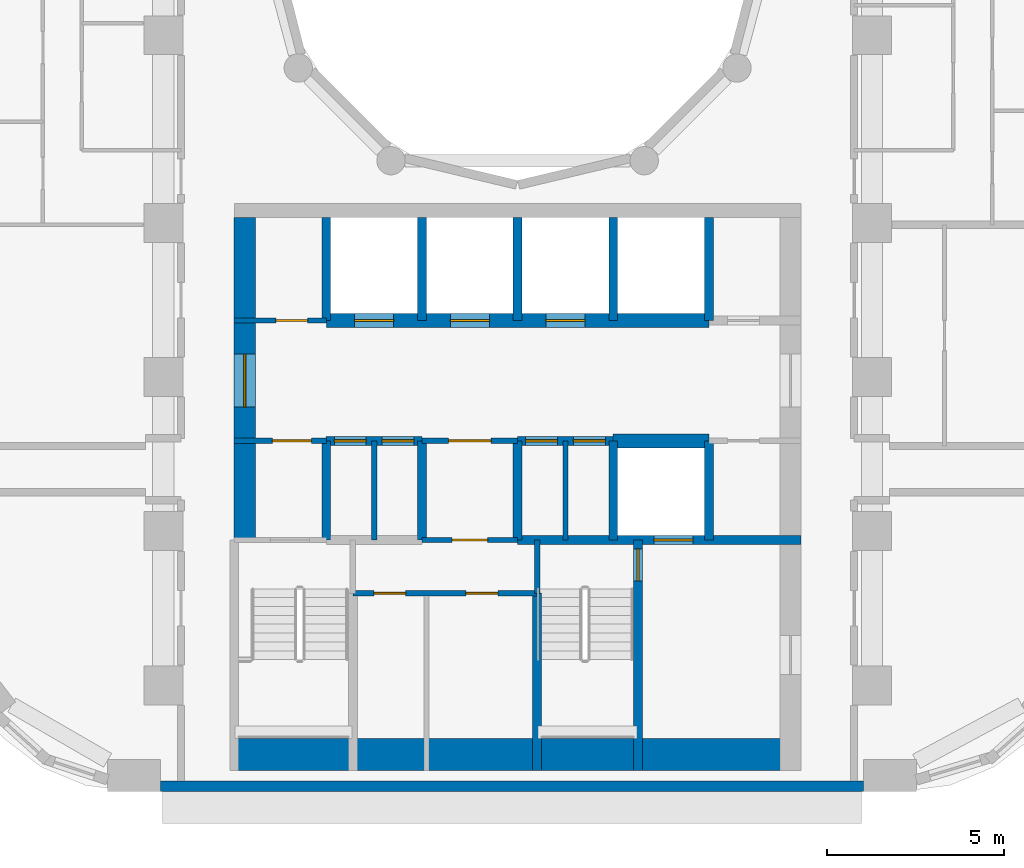
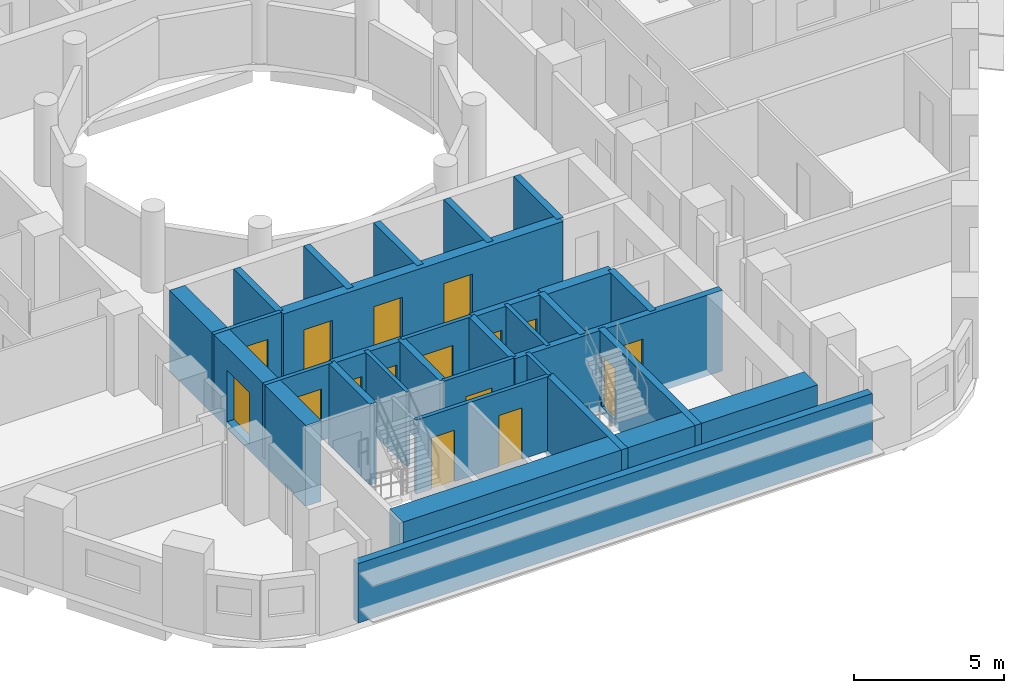
# One storey, part 3 of 12: 28 walls, 16 doors, 16 openings.
"""IFC4 building model written with IfcOpenShell, lengths in metres."""

from ifc_helpers import new_model, si_unit, direction, frame, frame_2d, origin, place, context, subcontext, project, spatial, rectangle, extrude, material, layer, layer_set, type_object, element, fill, save


model = new_model("IFC4")

# Units and contexts
model_context = context("Model", 3, precision=1e-05, world=origin(), true_north=direction((0.0, 1.0)))
body_context = subcontext(model_context, "Body", "Model", "MODEL_VIEW")
ifc_project = project(units=[si_unit("LENGTHUNIT", "METRE"), si_unit("AREAUNIT", "SQUARE_METRE"), si_unit("VOLUMEUNIT", "CUBIC_METRE"), si_unit("PLANEANGLEUNIT", "RADIAN"), si_unit("MASSUNIT", "GRAM", prefix="KILO")], contexts=[model_context])

# Site, building, storey
site_placement = place(None, origin())
site = spatial("IfcSite", under=ifc_project, at=site_placement, CompositionType="ELEMENT")
building_placement = place(site_placement, origin())
building = spatial("IfcBuilding", under=site, at=building_placement, Name="Nakaniwa Court", CompositionType="ELEMENT")
storey_placement = place(building_placement, frame((0.0, 0.0, 51.300048828125)))
storey = spatial("IfcBuildingStorey", under=building, at=storey_placement, Name="L13", CompositionType="ELEMENT", Elevation=51.300048828125)

# Wall
ifc_material_1 = material(Name="Charcoal ceramic cladding")
ifc_layer_1 = layer(ifc_material_1, 0.02, Name="Ceramic cladding")
ifc_material_2 = material(Name="Ventilated air cavity")
ifc_layer_2 = layer(ifc_material_2, 0.04, ventilated=True, Name="Ventilated cavity")
ifc_material_3 = material(Name="Mineral wool insulation")
ifc_layer_3 = layer(ifc_material_3, 0.1, Name="Insulation")
ifc_material_4 = material(Name="Cement bonded sheathing board")
ifc_layer_4 = layer(ifc_material_4, 0.012, Name="Sheathing")
ifc_material_5 = material(Name="Cold-formed galvanised stud frame with mineral wool infill")
ifc_layer_5 = layer(ifc_material_5, 0.1, Name="Stud frame")
ifc_material_6 = material(Name="Fire-rated gypsum plasterboard lining")
ifc_layer_6 = layer(ifc_material_6, 0.028, Name="Lining")
ifc_layer_set_1 = layer_set([ifc_layer_1, ifc_layer_2, ifc_layer_3, ifc_layer_4, ifc_layer_5, ifc_layer_6], Name="Charcoal ceramic faced external wall system")
wall_type_1 = type_object("IfcWallType", Name="Black ceramic faced external wall 300", PredefinedType="SOLIDWALL", material=ifc_layer_set_1)
wall_1_placement = place(storey_placement, frame((69.92138671875, 56.14990234375, 0.0), z_axis=(0.0, 0.0, 1.0), x_axis=(1.0, 0.0, 0.0)))
element("IfcWall", 1, at=wall_1_placement, inside=storey, type_object=wall_type_1, Name="L13 external wall 26", PredefinedType="SOLIDWALL", context=body_context, shape_type="SweptSolid", body=[
    extrude(rectangle(XDim=19.839599609375, YDim=0.300048828125, at=frame_2d((9.919921875, 0.0))), origin(), (0.0, 0.0, 1.0), 2.425048828125),
])

# Wall, opening, door
ifc_material_7 = material(Name="Blockwork partition", Category="masonry")
ifc_layer_7 = layer(ifc_material_7, 0.14990234375)
ifc_layer_set_2 = layer_set([ifc_layer_7], Name="Blockwork partition")
wall_type_2 = type_object("IfcWallType", Name="Blockwork partition 150", PredefinedType="PARTITIONING", material=ifc_layer_set_2)
wall_2_placement = place(storey_placement, frame((72.0, 69.300048828125, 0.0), z_axis=(0.0, 0.0, 1.0), x_axis=(1.0, 0.0, 0.0)))
wall_2 = element("IfcWall", 2, at=wall_2_placement, inside=storey, type_object=wall_type_2, Name="Partition PW-038", PredefinedType="PARTITIONING", context=body_context, shape_type="SweptSolid", body=[
    extrude(rectangle(XDim=2.60009765625, YDim=0.14990234375, at=frame_2d((1.300048828125, 0.0))), origin(), (0.0, 0.0, 1.0), 3.02490234375),
])
opening_1_placement = place(wall_2_placement, frame((1.175048828125, 0.0, 0.0)))
opening_1 = element("IfcOpeningElement", 3, at=opening_1_placement, cuts=wall_2, Name="Opening D-05-10", PredefinedType="OPENING", context=body_context, shape_type="SweptSolid", body=[
    extrude(rectangle(XDim=0.89990234375, YDim=2.10009765625, at=frame_2d((0.449951171875, 1.050048828125))), frame((0.0, 0.0849609375, 0.0), z_axis=(0.0, -1.0, 0.0), x_axis=(1.0, 0.0, 0.0)), (0.0, 0.0, 1.0), 0.169921875),
])
ifc_material_8 = material(Name="Fire rated steel door set", Category="steel")
door_type_1 = type_object("IfcDoorType", Name="Service room door 900", OperationType="NOTDEFINED", PredefinedType="DOOR", material=ifc_material_8)
door_1_placement = place(opening_1_placement, origin())
door_1 = element("IfcDoor", 4, at=door_1_placement, inside=storey, type_object=door_type_1, Name="Door D-05-10 L13-015", OperationType="SINGLE_SWING_RIGHT", OverallHeight=2.10009765625, OverallWidth=0.89990234375, PredefinedType="DOOR", context=body_context, shape_type="SweptSolid", body=[
    extrude(rectangle(XDim=0.89990234375, YDim=2.10009765625, at=frame_2d((0.449951171875, 1.050048828125))), frame((0.0, 0.02490234375, 0.0), z_axis=(0.0, -1.0, 0.0), x_axis=(1.0, 0.0, 0.0)), (0.0, 0.0, 1.0), 0.050048828125),
])
fill(opening_1, door_1)

wall_3_placement = place(storey_placement, frame((74.60302734375, 65.89990234375, 0.0), z_axis=(0.0, 0.0, 1.0), x_axis=(-1.0, 0.0, 0.0)))
wall_3 = element("IfcWall", 5, at=wall_3_placement, inside=storey, type_object=wall_type_2, Name="Partition PW-051", PredefinedType="PARTITIONING", context=body_context, shape_type="SweptSolid", body=[
    extrude(rectangle(XDim=2.60302734375, YDim=0.14990234375, at=frame_2d((1.301513671875, 0.0))), origin(), (0.0, 0.0, 1.0), 3.02490234375),
])
opening_2_placement = place(wall_3_placement, frame((0.427978515625, 0.0, 0.0)))
opening_2 = element("IfcOpeningElement", 6, at=opening_2_placement, cuts=wall_3, Name="Opening D-08-02", PredefinedType="OPENING", context=body_context, shape_type="SweptSolid", body=[
    extrude(rectangle(XDim=1.10009765625, YDim=2.10009765625, at=frame_2d((0.550048828125, 1.050048828125))), frame((0.0, 0.0849609375, 0.0), z_axis=(0.0, -1.0, 0.0), x_axis=(1.0, 0.0, 0.0)), (0.0, 0.0, 1.0), 0.169921875),
])
door_type_2 = type_object("IfcDoorType", Name="Stair lobby door 1100", OperationType="NOTDEFINED", PredefinedType="DOOR", material=ifc_material_8)
door_2_placement = place(opening_2_placement, origin())
door_2 = element("IfcDoor", 7, at=door_2_placement, inside=storey, type_object=door_type_2, Name="Door D-08-02 L13-017", OperationType="SINGLE_SWING_RIGHT", OverallHeight=2.10009765625, OverallWidth=1.10009765625, PredefinedType="DOOR", context=body_context, shape_type="SweptSolid", body=[
    extrude(rectangle(XDim=1.10009765625, YDim=2.10009765625, at=frame_2d((0.550048828125, 1.050048828125))), frame((0.0, 0.02490234375, 0.0), z_axis=(0.0, -1.0, 0.0), x_axis=(1.0, 0.0, 0.0)), (0.0, 0.0, 1.0), 0.050048828125),
])
fill(opening_2, door_2)

wall_4_placement = place(storey_placement, frame((80.0029296875, 65.89990234375, 0.0), z_axis=(0.0, 0.0, 1.0), x_axis=(-1.0, 0.0, 0.0)))
wall_4 = element("IfcWall", 8, at=wall_4_placement, inside=storey, type_object=wall_type_2, Name="Partition PW-052", PredefinedType="PARTITIONING", context=body_context, shape_type="SweptSolid", body=[
    extrude(rectangle(XDim=2.705810546875, YDim=0.14990234375, at=frame_2d((1.35302734375, 0.0))), origin(), (0.0, 0.0, 1.0), 3.02490234375),
])
opening_3_placement = place(wall_4_placement, frame((0.7529296875, 0.0, 0.0)))
opening_3 = element("IfcOpeningElement", 9, at=opening_3_placement, cuts=wall_4, Name="Opening D-06-02", PredefinedType="OPENING", context=body_context, shape_type="SweptSolid", body=[
    extrude(rectangle(XDim=1.199951171875, YDim=2.10009765625, at=frame_2d((0.60009765625, 1.050048828125))), frame((0.0, 0.0849609375, 0.0), z_axis=(0.0, -1.0, 0.0), x_axis=(1.0, 0.0, 0.0)), (0.0, 0.0, 1.0), 0.169921875),
])
ifc_material_9 = material(Name="Fire rated steel double door set", Category="steel")
door_type_3 = type_object("IfcDoorType", Name="Service passage double door 1200", OperationType="NOTDEFINED", PredefinedType="DOOR", material=ifc_material_9)
door_3_placement = place(opening_3_placement, origin())
door_3 = element("IfcDoor", 10, at=door_3_placement, inside=storey, type_object=door_type_3, Name="Door D-06-02 L13-020", OperationType="DOUBLE_DOOR_SINGLE_SWING", OverallHeight=2.10009765625, OverallWidth=1.199951171875, PredefinedType="DOOR", context=body_context, shape_type="SweptSolid", body=[
    extrude(rectangle(XDim=1.199951171875, YDim=2.10009765625, at=frame_2d((0.60009765625, 1.050048828125))), frame((0.0, 0.02490234375, 0.0), z_axis=(0.0, -1.0, 0.0), x_axis=(1.0, 0.0, 0.0)), (0.0, 0.0, 1.0), 0.050048828125),
])
fill(opening_3, door_3)

# Wall
wall_5_placement = place(storey_placement, frame((75.949951171875, 63.10009765625, 0.0), z_axis=(0.0, 0.0, 1.0), x_axis=(0.0, 1.0, 0.0)))
element("IfcWall", 11, at=wall_5_placement, inside=storey, type_object=wall_type_2, Name="Partition PW-058", PredefinedType="PARTITIONING", context=body_context, shape_type="SweptSolid", body=[
    extrude(rectangle(XDim=2.7998046875, YDim=0.14990234375, at=frame_2d((1.39990234375, 0.0))), origin(), (0.0, 0.0, 1.0), 3.02490234375),
])

# Wall, opening, door
wall_6_placement = place(storey_placement, frame((80.0, 63.10009765625, 0.0), z_axis=(0.0, 0.0, 1.0), x_axis=(-1.0, 0.0, 0.0)))
wall_6 = element("IfcWall", 12, at=wall_6_placement, inside=storey, type_object=wall_type_2, Name="Partition PW-061", PredefinedType="PARTITIONING", context=body_context, shape_type="SweptSolid", body=[
    extrude(rectangle(XDim=2.699951171875, YDim=0.14990234375, at=frame_2d((1.35009765625, 0.0))), origin(), (0.0, 0.0, 1.0), 3.02490234375),
])
opening_4_placement = place(wall_6_placement, frame((0.85009765625, 0.0, 0.0)))
opening_4 = element("IfcOpeningElement", 13, at=opening_4_placement, cuts=wall_6, Name="Opening D-23-02", PredefinedType="OPENING", context=body_context, shape_type="SweptSolid", body=[
    extrude(rectangle(XDim=1.0, YDim=2.10009765625, at=frame_2d((0.5, 1.050048828125))), frame((0.0, 0.0849609375, 0.0), z_axis=(0.0, -1.0, 0.0), x_axis=(1.0, 0.0, 0.0)), (0.0, 0.0, 1.0), 0.169921875),
])
door_type_4 = type_object("IfcDoorType", Name="Service room door 1000", OperationType="NOTDEFINED", PredefinedType="DOOR", material=ifc_material_8)
door_4_placement = place(opening_4_placement, origin())
door_4 = element("IfcDoor", 14, at=door_4_placement, inside=storey, type_object=door_type_4, Name="Door D-23-02 L13-024", OperationType="SINGLE_SWING_LEFT", OverallHeight=2.10009765625, OverallWidth=1.0, PredefinedType="DOOR", context=body_context, shape_type="SweptSolid", body=[
    extrude(rectangle(XDim=1.0, YDim=2.10009765625, at=frame_2d((0.5, 1.050048828125))), frame((0.0, 0.02490234375, 0.0), z_axis=(0.0, -1.0, 0.0), x_axis=(1.0, 0.0, 0.0)), (0.0, 0.0, 1.0), 0.050048828125),
])
fill(opening_4, door_4)

# Wall
wall_7_placement = place(storey_placement, frame((81.35009765625, 63.10009765625, 0.0), z_axis=(0.0, 0.0, 1.0), x_axis=(0.0, 1.0, 0.0)))
element("IfcWall", 15, at=wall_7_placement, inside=storey, type_object=wall_type_2, Name="Partition PW-062", PredefinedType="PARTITIONING", context=body_context, shape_type="SweptSolid", body=[
    extrude(rectangle(XDim=2.7998046875, YDim=0.14990234375, at=frame_2d((1.39990234375, 0.0))), origin(), (0.0, 0.0, 1.0), 3.02490234375),
])

# Wall, openings, doors
wall_8_placement = place(storey_placement, frame((80.550048828125, 61.60009765625, 0.0), z_axis=(0.0, 0.0, 1.0), x_axis=(-1.0, 0.0, 0.0)))
wall_8 = element("IfcWall", 16, at=wall_8_placement, inside=storey, type_object=wall_type_2, Name="Partition PW-069", PredefinedType="PARTITIONING", context=body_context, shape_type="SweptSolid", body=[
    extrude(rectangle(XDim=5.199951171875, YDim=0.14990234375, at=frame_2d((2.60009765625, 0.0))), origin(), (0.0, 0.0, 1.0), 3.02490234375),
])
opening_5_placement = place(wall_8_placement, frame((3.7099609375, 0.0, 0.0)))
opening_5 = element("IfcOpeningElement", 17, at=opening_5_placement, cuts=wall_8, Name="Opening D-05-17", PredefinedType="OPENING", context=body_context, shape_type="SweptSolid", body=[
    extrude(rectangle(XDim=0.89990234375, YDim=2.10009765625, at=frame_2d((0.449951171875, 1.050048828125))), frame((0.0, 0.0849609375, 0.0), z_axis=(0.0, -1.0, 0.0), x_axis=(1.0, 0.0, 0.0)), (0.0, 0.0, 1.0), 0.169921875),
])
opening_6_placement = place(wall_8_placement, frame((1.110107421875, 0.0, 0.0)))
opening_6 = element("IfcOpeningElement", 18, at=opening_6_placement, cuts=wall_8, Name="Opening D-05-18", PredefinedType="OPENING", context=body_context, shape_type="SweptSolid", body=[
    extrude(rectangle(XDim=0.89990234375, YDim=2.10009765625, at=frame_2d((0.449951171875, 1.050048828125))), frame((0.0, 0.0849609375, 0.0), z_axis=(0.0, -1.0, 0.0), x_axis=(1.0, 0.0, 0.0)), (0.0, 0.0, 1.0), 0.169921875),
])
door_5_placement = place(opening_5_placement, origin())
door_5 = element("IfcDoor", 19, at=door_5_placement, inside=storey, type_object=door_type_1, Name="Door D-05-17 L13-025", OperationType="SINGLE_SWING_RIGHT", OverallHeight=2.10009765625, OverallWidth=0.89990234375, PredefinedType="DOOR", context=body_context, shape_type="SweptSolid", body=[
    extrude(rectangle(XDim=0.89990234375, YDim=2.10009765625, at=frame_2d((0.449951171875, 1.050048828125))), frame((0.0, 0.02490234375, 0.0), z_axis=(0.0, -1.0, 0.0), x_axis=(1.0, 0.0, 0.0)), (0.0, 0.0, 1.0), 0.050048828125),
])
fill(opening_5, door_5)
door_6_placement = place(opening_6_placement, origin())
door_6 = element("IfcDoor", 20, at=door_6_placement, inside=storey, type_object=door_type_1, Name="Door D-05-18 L13-026", OperationType="SINGLE_SWING_LEFT", OverallHeight=2.10009765625, OverallWidth=0.89990234375, PredefinedType="DOOR", context=body_context, shape_type="SweptSolid", body=[
    extrude(rectangle(XDim=0.89990234375, YDim=2.10009765625, at=frame_2d((0.449951171875, 1.050048828125))), frame((0.0, 0.02490234375, 0.0), z_axis=(0.0, -1.0, 0.0), x_axis=(1.0, 0.0, 0.0)), (0.0, 0.0, 1.0), 0.050048828125),
])
fill(opening_6, door_6)

# Wall, opening, door
ifc_material_10 = material(Name="Concrete C100/115", Category="concrete")
ifc_layer_8 = layer(ifc_material_10, 0.60009765625)
ifc_layer_set_3 = layer_set([ifc_layer_8], Name="Concrete C100/115")
wall_type_3 = type_object("IfcWallType", Name="Concrete core side wall 600 C100", PredefinedType="SHEAR", material=ifc_layer_set_3)
wall_9_placement = place(storey_placement, frame((72.300048828125, 63.10009765625, -0.275146484375), z_axis=(0.0, 0.0, 1.0), x_axis=(0.0, 1.0, 0.0)))
wall_9 = element("IfcWall", 21, at=wall_9_placement, inside=storey, type_object=wall_type_3, Name="Core wall SW-39", PredefinedType="SHEAR", context=body_context, shape_type="SweptSolid", body=[
    extrude(rectangle(XDim=9.099853515625, YDim=0.60009765625, at=frame_2d((4.5498046875, 0.0))), origin(), (0.0, 0.0, 1.0), 3.300048828125),
])
opening_7_placement = place(wall_9_placement, frame((3.75, 0.0, 0.27490234375)))
opening_7 = element("IfcOpeningElement", 22, at=opening_7_placement, cuts=wall_9, Name="Opening D-07-04", PredefinedType="OPENING", context=body_context, shape_type="SweptSolid", body=[
    extrude(rectangle(XDim=1.5, YDim=2.10009765625, at=frame_2d((0.75, 1.050048828125))), frame((0.0, 0.31005859375, 0.0), z_axis=(0.0, -1.0, 0.0), x_axis=(1.0, 0.0, 0.0)), (0.0, 0.0, 1.0), 0.6201171875),
])
ifc_material_11 = material(Name="Glazed fire rated steel double door set", Category="steel")
door_type_5 = type_object("IfcDoorType", Name="Lobby double door 1500", OperationType="NOTDEFINED", PredefinedType="DOOR", material=ifc_material_11)
door_7_placement = place(opening_7_placement, origin())
door_7 = element("IfcDoor", 23, at=door_7_placement, inside=storey, type_object=door_type_5, Name="Door D-07-04 L13-060", OperationType="DOUBLE_DOOR_SINGLE_SWING", OverallHeight=2.10009765625, OverallWidth=1.5, PredefinedType="DOOR", context=body_context, shape_type="SweptSolid", body=[
    extrude(rectangle(XDim=1.5, YDim=2.10009765625, at=frame_2d((0.75, 1.050048828125))), frame((0.0, 0.02490234375, 0.0), z_axis=(0.0, -1.0, 0.0), x_axis=(1.0, 0.0, 0.0)), (0.0, 0.0, 1.0), 0.050048828125),
])
fill(opening_7, door_7)

# Wall, openings, doors
ifc_layer_9 = layer(ifc_material_10, 0.39990234375)
ifc_layer_set_4 = layer_set([ifc_layer_9], Name="Concrete C100/115")
wall_type_4 = type_object("IfcWallType", Name="Concrete core spine wall 400 C100", PredefinedType="SHEAR", material=ifc_layer_set_4)
wall_10_placement = place(storey_placement, frame((74.60009765625, 69.300048828125, -0.275146484375), z_axis=(0.0, 0.0, 1.0), x_axis=(1.0, 0.0, 0.0)))
wall_10 = element("IfcWall", 24, at=wall_10_placement, inside=storey, type_object=wall_type_4, Name="Core wall SW-42", PredefinedType="SHEAR", context=body_context, shape_type="SweptSolid", body=[
    extrude(rectangle(XDim=10.7998046875, YDim=0.39990234375, at=frame_2d((5.39990234375, 0.0))), origin(), (0.0, 0.0, 1.0), 3.300048828125),
])
opening_8_placement = place(wall_10_placement, frame((0.800048828125, 0.0, 0.27490234375)))
opening_8 = element("IfcOpeningElement", 25, at=opening_8_placement, cuts=wall_10, Name="Opening LD05", PredefinedType="OPENING", context=body_context, shape_type="SweptSolid", body=[
    extrude(rectangle(XDim=1.10009765625, YDim=2.10009765625, at=frame_2d((0.550048828125, 1.050048828125))), frame((0.0, 0.2099609375, 0.0), z_axis=(0.0, -1.0, 0.0), x_axis=(1.0, 0.0, 0.0)), (0.0, 0.0, 1.0), 0.419921875),
])
opening_9_placement = place(wall_10_placement, frame((3.5, 0.0, 0.27490234375)))
opening_9 = element("IfcOpeningElement", 26, at=opening_9_placement, cuts=wall_10, Name="Opening LD06", PredefinedType="OPENING", context=body_context, shape_type="SweptSolid", body=[
    extrude(rectangle(XDim=1.10009765625, YDim=2.10009765625, at=frame_2d((0.550048828125, 1.050048828125))), frame((0.0, 0.2099609375, 0.0), z_axis=(0.0, -1.0, 0.0), x_axis=(1.0, 0.0, 0.0)), (0.0, 0.0, 1.0), 0.419921875),
])
opening_10_placement = place(wall_10_placement, frame((6.199951171875, 0.0, 0.27490234375)))
opening_10 = element("IfcOpeningElement", 27, at=opening_10_placement, cuts=wall_10, Name="Opening LD07", PredefinedType="OPENING", context=body_context, shape_type="SweptSolid", body=[
    extrude(rectangle(XDim=1.10009765625, YDim=2.10009765625, at=frame_2d((0.550048828125, 1.050048828125))), frame((0.0, 0.2099609375, 0.0), z_axis=(0.0, -1.0, 0.0), x_axis=(1.0, 0.0, 0.0)), (0.0, 0.0, 1.0), 0.419921875),
])
ifc_material_12 = material(Name="Stainless steel sliding lift landing door", Category="steel")
door_type_6 = type_object("IfcDoorType", Name="Lift landing door 1100", OperationType="NOTDEFINED", PredefinedType="DOOR", material=ifc_material_12)
door_8_placement = place(opening_8_placement, origin())
door_8 = element("IfcDoor", 28, at=door_8_placement, inside=storey, type_object=door_type_6, Name="Lift landing door LD05 L13-005", OperationType="SLIDING_TO_LEFT", OverallHeight=2.10009765625, OverallWidth=1.10009765625, PredefinedType="DOOR", context=body_context, shape_type="SweptSolid", body=[
    extrude(rectangle(XDim=1.10009765625, YDim=2.10009765625, at=frame_2d((0.550048828125, 1.050048828125))), frame((0.0, 0.02490234375, 0.0), z_axis=(0.0, -1.0, 0.0), x_axis=(1.0, 0.0, 0.0)), (0.0, 0.0, 1.0), 0.050048828125),
])
fill(opening_8, door_8)
door_9_placement = place(opening_9_placement, origin())
door_9 = element("IfcDoor", 29, at=door_9_placement, inside=storey, type_object=door_type_6, Name="Lift landing door LD06 L13-006", OperationType="SLIDING_TO_LEFT", OverallHeight=2.10009765625, OverallWidth=1.10009765625, PredefinedType="DOOR", context=body_context, shape_type="SweptSolid", body=[
    extrude(rectangle(XDim=1.10009765625, YDim=2.10009765625, at=frame_2d((0.550048828125, 1.050048828125))), frame((0.0, 0.02490234375, 0.0), z_axis=(0.0, -1.0, 0.0), x_axis=(1.0, 0.0, 0.0)), (0.0, 0.0, 1.0), 0.050048828125),
])
fill(opening_9, door_9)
door_10_placement = place(opening_10_placement, origin())
door_10 = element("IfcDoor", 30, at=door_10_placement, inside=storey, type_object=door_type_6, Name="Lift landing door LD07 L13-007", OperationType="SLIDING_TO_LEFT", OverallHeight=2.10009765625, OverallWidth=1.10009765625, PredefinedType="DOOR", context=body_context, shape_type="SweptSolid", body=[
    extrude(rectangle(XDim=1.10009765625, YDim=2.10009765625, at=frame_2d((0.550048828125, 1.050048828125))), frame((0.0, 0.02490234375, 0.0), z_axis=(0.0, -1.0, 0.0), x_axis=(1.0, 0.0, 0.0)), (0.0, 0.0, 1.0), 0.050048828125),
])
fill(opening_10, door_10)

# Walls
wall_11_placement = place(storey_placement, frame((82.697021484375, 65.89990234375, -0.275146484375), z_axis=(0.0, 0.0, 1.0), x_axis=(1.0, 0.0, 0.0)))
element("IfcWall", 31, at=wall_11_placement, inside=storey, type_object=wall_type_4, Name="Core wall SW-56", PredefinedType="SHEAR", context=body_context, shape_type="SweptSolid", body=[
    extrude(rectangle(XDim=2.7060546875, YDim=0.39990234375, at=frame_2d((1.35302734375, 0.0))), origin(), (0.0, 0.0, 1.0), 3.300048828125),
])
ifc_layer_10 = layer(ifc_material_10, 0.14990234375)
ifc_layer_set_5 = layer_set([ifc_layer_10], Name="Concrete C100/115")
wall_type_5 = type_object("IfcWallType", Name="Concrete core wall 150 C100", PredefinedType="SHEAR", material=ifc_layer_set_5)
wall_12_placement = place(storey_placement, frame((80.550048828125, 61.596923828125, -0.275146484375), z_axis=(0.0, 0.0, 1.0), x_axis=(0.0, 1.0, 0.0)))
element("IfcWall", 32, at=wall_12_placement, inside=storey, type_object=wall_type_5, Name="Core wall SW-67", PredefinedType="SHEAR", context=body_context, shape_type="SweptSolid", body=[
    extrude(rectangle(XDim=1.503173828125, YDim=0.14990234375, at=frame_2d((0.75146484375, 0.0))), origin(), (0.0, 0.0, 1.0), 3.300048828125),
])
ifc_layer_11 = layer(ifc_material_10, 0.89990234375)
ifc_layer_set_6 = layer_set([ifc_layer_11], Name="Concrete C100/115")
wall_type_6 = type_object("IfcWallType", Name="Concrete core wall 900 C100", PredefinedType="SHEAR", material=ifc_layer_set_6)
wall_13_placement = place(storey_placement, frame((72.00390625, 57.050048828125, -0.275146484375), z_axis=(0.0, 0.0, 1.0), x_axis=(1.0, 0.0, 0.0)))
element("IfcWall", 33, at=wall_13_placement, inside=storey, type_object=wall_type_6, Name="Core wall SW-136", PredefinedType="SHEAR", context=body_context, shape_type="SweptSolid", body=[
    extrude(rectangle(XDim=15.9921875, YDim=0.89990234375, at=frame_2d((7.99609375, 0.0))), origin(), (0.0, 0.0, 1.0), 3.300048828125),
])
ifc_layer_12 = layer(ifc_material_10, 0.25)
ifc_layer_set_7 = layer_set([ifc_layer_12], Name="Concrete C100/115")
wall_type_7 = type_object("IfcWallType", Name="Concrete shaft wall 250 C100", PredefinedType="SHEAR", material=ifc_layer_set_7)
wall_14_placement = place(storey_placement, frame((74.60009765625, 63.10009765625, -0.275146484375), z_axis=(0.0, 0.0, 1.0), x_axis=(0.0, 1.0, 0.0)))
element("IfcWall", 34, at=wall_14_placement, inside=storey, type_object=wall_type_7, Name="Core wall SW-36", PredefinedType="SHEAR", context=body_context, shape_type="SweptSolid", body=[
    extrude(rectangle(XDim=2.7998046875, YDim=0.25, at=frame_2d((1.39990234375, 0.0))), origin(), (0.0, 0.0, 1.0), 3.300048828125),
])
wall_15_placement = place(storey_placement, frame((74.60009765625, 69.300048828125, -0.275146484375), z_axis=(0.0, 0.0, 1.0), x_axis=(0.0, 1.0, 0.0)))
element("IfcWall", 35, at=wall_15_placement, inside=storey, type_object=wall_type_7, Name="Core wall SW-37", PredefinedType="SHEAR", context=body_context, shape_type="SweptSolid", body=[
    extrude(rectangle(XDim=2.89990234375, YDim=0.25, at=frame_2d((1.449951171875, 0.0))), origin(), (0.0, 0.0, 1.0), 3.300048828125),
])
wall_16_placement = place(storey_placement, frame((77.300048828125, 63.10009765625, -0.275146484375), z_axis=(0.0, 0.0, 1.0), x_axis=(0.0, 1.0, 0.0)))
element("IfcWall", 36, at=wall_16_placement, inside=storey, type_object=wall_type_7, Name="Core wall SW-40", PredefinedType="SHEAR", context=body_context, shape_type="SweptSolid", body=[
    extrude(rectangle(XDim=2.7998046875, YDim=0.25, at=frame_2d((1.39990234375, 0.0))), origin(), (0.0, 0.0, 1.0), 3.300048828125),
])
wall_17_placement = place(storey_placement, frame((77.300048828125, 69.300048828125, -0.275146484375), z_axis=(0.0, 0.0, 1.0), x_axis=(0.0, 1.0, 0.0)))
element("IfcWall", 37, at=wall_17_placement, inside=storey, type_object=wall_type_7, Name="Core wall SW-41", PredefinedType="SHEAR", context=body_context, shape_type="SweptSolid", body=[
    extrude(rectangle(XDim=2.89990234375, YDim=0.25, at=frame_2d((1.449951171875, 0.0))), origin(), (0.0, 0.0, 1.0), 3.300048828125),
])
wall_18_placement = place(storey_placement, frame((80.0, 63.10009765625, -0.275146484375), z_axis=(0.0, 0.0, 1.0), x_axis=(0.0, 1.0, 0.0)))
element("IfcWall", 38, at=wall_18_placement, inside=storey, type_object=wall_type_7, Name="Core wall SW-43", PredefinedType="SHEAR", context=body_context, shape_type="SweptSolid", body=[
    extrude(rectangle(XDim=2.7998046875, YDim=0.25, at=frame_2d((1.39990234375, 0.0))), origin(), (0.0, 0.0, 1.0), 3.300048828125),
])
wall_19_placement = place(storey_placement, frame((80.0, 69.300048828125, -0.275146484375), z_axis=(0.0, 0.0, 1.0), x_axis=(0.0, 1.0, 0.0)))
element("IfcWall", 39, at=wall_19_placement, inside=storey, type_object=wall_type_7, Name="Core wall SW-44", PredefinedType="SHEAR", context=body_context, shape_type="SweptSolid", body=[
    extrude(rectangle(XDim=2.89990234375, YDim=0.25, at=frame_2d((1.449951171875, 0.0))), origin(), (0.0, 0.0, 1.0), 3.300048828125),
])
wall_20_placement = place(storey_placement, frame((82.699951171875, 63.10009765625, -0.275146484375), z_axis=(0.0, 0.0, 1.0), x_axis=(0.0, 1.0, 0.0)))
element("IfcWall", 40, at=wall_20_placement, inside=storey, type_object=wall_type_7, Name="Core wall SW-45", PredefinedType="SHEAR", context=body_context, shape_type="SweptSolid", body=[
    extrude(rectangle(XDim=2.7998046875, YDim=0.25, at=frame_2d((1.39990234375, 0.0))), origin(), (0.0, 0.0, 1.0), 3.300048828125),
])
wall_21_placement = place(storey_placement, frame((82.699951171875, 69.300048828125, -0.275146484375), z_axis=(0.0, 0.0, 1.0), x_axis=(0.0, 1.0, 0.0)))
element("IfcWall", 41, at=wall_21_placement, inside=storey, type_object=wall_type_7, Name="Core wall SW-46", PredefinedType="SHEAR", context=body_context, shape_type="SweptSolid", body=[
    extrude(rectangle(XDim=2.89990234375, YDim=0.25, at=frame_2d((1.449951171875, 0.0))), origin(), (0.0, 0.0, 1.0), 3.300048828125),
])
wall_22_placement = place(storey_placement, frame((85.39990234375, 63.10009765625, -0.275146484375), z_axis=(0.0, 0.0, 1.0), x_axis=(0.0, 1.0, 0.0)))
element("IfcWall", 42, at=wall_22_placement, inside=storey, type_object=wall_type_7, Name="Core wall SW-47", PredefinedType="SHEAR", context=body_context, shape_type="SweptSolid", body=[
    extrude(rectangle(XDim=2.7998046875, YDim=0.25, at=frame_2d((1.39990234375, 0.0))), origin(), (0.0, 0.0, 1.0), 3.300048828125),
])
wall_23_placement = place(storey_placement, frame((85.39990234375, 69.300048828125, -0.275146484375), z_axis=(0.0, 0.0, 1.0), x_axis=(0.0, 1.0, 0.0)))
element("IfcWall", 43, at=wall_23_placement, inside=storey, type_object=wall_type_7, Name="Core wall SW-48", PredefinedType="SHEAR", context=body_context, shape_type="SweptSolid", body=[
    extrude(rectangle(XDim=2.89990234375, YDim=0.25, at=frame_2d((1.449951171875, 0.0))), origin(), (0.0, 0.0, 1.0), 3.300048828125),
])

# Wall, openings, doors
wall_24_placement = place(storey_placement, frame((77.302978515625, 65.89990234375, -0.275146484375), z_axis=(0.0, 0.0, 1.0), x_axis=(-1.0, 0.0, 0.0)))
wall_24 = element("IfcWall", 44, at=wall_24_placement, inside=storey, type_object=wall_type_7, Name="Core wall SW-54", PredefinedType="SHEAR", context=body_context, shape_type="SweptSolid", body=[
    extrude(rectangle(XDim=2.7060546875, YDim=0.25, at=frame_2d((1.35302734375, 0.0))), origin(), (0.0, 0.0, 1.0), 3.300048828125),
])
opening_11_placement = place(wall_24_placement, frame((1.577880859375, 0.0, 0.27490234375)))
opening_11 = element("IfcOpeningElement", 45, at=opening_11_placement, cuts=wall_24, Name="Opening D-05-12", PredefinedType="OPENING", context=body_context, shape_type="SweptSolid", body=[
    extrude(rectangle(XDim=0.89990234375, YDim=2.10009765625, at=frame_2d((0.449951171875, 1.050048828125))), frame((0.0, 0.135009765625, 0.0), z_axis=(0.0, -1.0, 0.0), x_axis=(1.0, 0.0, 0.0)), (0.0, 0.0, 1.0), 0.27001953125),
])
opening_12_placement = place(wall_24_placement, frame((0.22802734375, 0.0, 0.27490234375)))
opening_12 = element("IfcOpeningElement", 46, at=opening_12_placement, cuts=wall_24, Name="Opening D-05-13", PredefinedType="OPENING", context=body_context, shape_type="SweptSolid", body=[
    extrude(rectangle(XDim=0.89990234375, YDim=2.10009765625, at=frame_2d((0.449951171875, 1.050048828125))), frame((0.0, 0.135009765625, 0.0), z_axis=(0.0, -1.0, 0.0), x_axis=(1.0, 0.0, 0.0)), (0.0, 0.0, 1.0), 0.27001953125),
])
door_11_placement = place(opening_11_placement, origin())
door_11 = element("IfcDoor", 47, at=door_11_placement, inside=storey, type_object=door_type_1, Name="Door D-05-12 L13-018", OperationType="SINGLE_SWING_LEFT", OverallHeight=2.10009765625, OverallWidth=0.89990234375, PredefinedType="DOOR", context=body_context, shape_type="SweptSolid", body=[
    extrude(rectangle(XDim=0.89990234375, YDim=2.10009765625, at=frame_2d((0.449951171875, 1.050048828125))), frame((0.0, 0.02490234375, 0.0), z_axis=(0.0, -1.0, 0.0), x_axis=(1.0, 0.0, 0.0)), (0.0, 0.0, 1.0), 0.050048828125),
])
fill(opening_11, door_11)
door_12_placement = place(opening_12_placement, origin())
door_12 = element("IfcDoor", 48, at=door_12_placement, inside=storey, type_object=door_type_1, Name="Door D-05-13 L13-019", OperationType="SINGLE_SWING_RIGHT", OverallHeight=2.10009765625, OverallWidth=0.89990234375, PredefinedType="DOOR", context=body_context, shape_type="SweptSolid", body=[
    extrude(rectangle(XDim=0.89990234375, YDim=2.10009765625, at=frame_2d((0.449951171875, 1.050048828125))), frame((0.0, 0.02490234375, 0.0), z_axis=(0.0, -1.0, 0.0), x_axis=(1.0, 0.0, 0.0)), (0.0, 0.0, 1.0), 0.050048828125),
])
fill(opening_12, door_12)

wall_25_placement = place(storey_placement, frame((82.702880859375, 65.89990234375, -0.275146484375), z_axis=(0.0, 0.0, 1.0), x_axis=(-1.0, 0.0, 0.0)))
wall_25 = element("IfcWall", 49, at=wall_25_placement, inside=storey, type_object=wall_type_7, Name="Core wall SW-55", PredefinedType="SHEAR", context=body_context, shape_type="SweptSolid", body=[
    extrude(rectangle(XDim=2.705810546875, YDim=0.25, at=frame_2d((1.35302734375, 0.0))), origin(), (0.0, 0.0, 1.0), 3.300048828125),
])
opening_13_placement = place(wall_25_placement, frame((1.577880859375, 0.0, 0.27490234375)))
opening_13 = element("IfcOpeningElement", 50, at=opening_13_placement, cuts=wall_25, Name="Opening D-05-14", PredefinedType="OPENING", context=body_context, shape_type="SweptSolid", body=[
    extrude(rectangle(XDim=0.89990234375, YDim=2.10009765625, at=frame_2d((0.449951171875, 1.050048828125))), frame((0.0, 0.135009765625, 0.0), z_axis=(0.0, -1.0, 0.0), x_axis=(1.0, 0.0, 0.0)), (0.0, 0.0, 1.0), 0.27001953125),
])
opening_14_placement = place(wall_25_placement, frame((0.22802734375, 0.0, 0.27490234375)))
opening_14 = element("IfcOpeningElement", 51, at=opening_14_placement, cuts=wall_25, Name="Opening D-05-15", PredefinedType="OPENING", context=body_context, shape_type="SweptSolid", body=[
    extrude(rectangle(XDim=0.89990234375, YDim=2.10009765625, at=frame_2d((0.449951171875, 1.050048828125))), frame((0.0, 0.135009765625, 0.0), z_axis=(0.0, -1.0, 0.0), x_axis=(1.0, 0.0, 0.0)), (0.0, 0.0, 1.0), 0.27001953125),
])
door_13_placement = place(opening_13_placement, origin())
door_13 = element("IfcDoor", 52, at=door_13_placement, inside=storey, type_object=door_type_1, Name="Door D-05-14 L13-021", OperationType="SINGLE_SWING_RIGHT", OverallHeight=2.10009765625, OverallWidth=0.89990234375, PredefinedType="DOOR", context=body_context, shape_type="SweptSolid", body=[
    extrude(rectangle(XDim=0.89990234375, YDim=2.10009765625, at=frame_2d((0.449951171875, 1.050048828125))), frame((0.0, 0.02490234375, 0.0), z_axis=(0.0, -1.0, 0.0), x_axis=(1.0, 0.0, 0.0)), (0.0, 0.0, 1.0), 0.050048828125),
])
fill(opening_13, door_13)
door_14_placement = place(opening_14_placement, origin())
door_14 = element("IfcDoor", 53, at=door_14_placement, inside=storey, type_object=door_type_1, Name="Door D-05-15 L13-022", OperationType="SINGLE_SWING_LEFT", OverallHeight=2.10009765625, OverallWidth=0.89990234375, PredefinedType="DOOR", context=body_context, shape_type="SweptSolid", body=[
    extrude(rectangle(XDim=0.89990234375, YDim=2.10009765625, at=frame_2d((0.449951171875, 1.050048828125))), frame((0.0, 0.02490234375, 0.0), z_axis=(0.0, -1.0, 0.0), x_axis=(1.0, 0.0, 0.0)), (0.0, 0.0, 1.0), 0.050048828125),
])
fill(opening_14, door_14)

# Wall, opening, door
wall_26_placement = place(storey_placement, frame((80.0, 63.10009765625, -0.275146484375), z_axis=(0.0, 0.0, 1.0), x_axis=(1.0, 0.0, 0.0)))
wall_26 = element("IfcWall", 54, at=wall_26_placement, inside=storey, type_object=wall_type_7, Name="Core wall SW-60", PredefinedType="SHEAR", context=body_context, shape_type="SweptSolid", body=[
    extrude(rectangle(XDim=8.0, YDim=0.25, at=frame_2d((4.0, 0.0))), origin(), (0.0, 0.0, 1.0), 3.300048828125),
])
opening_15_placement = place(wall_26_placement, frame((3.84912109375, 0.0, 0.27490234375)))
opening_15 = element("IfcOpeningElement", 55, at=opening_15_placement, cuts=wall_26, Name="Opening LD08", PredefinedType="OPENING", context=body_context, shape_type="SweptSolid", body=[
    extrude(rectangle(XDim=1.10009765625, YDim=2.10009765625, at=frame_2d((0.550048828125, 1.050048828125))), frame((0.0, 0.135009765625, 0.0), z_axis=(0.0, -1.0, 0.0), x_axis=(1.0, 0.0, 0.0)), (0.0, 0.0, 1.0), 0.27001953125),
])
door_15_placement = place(opening_15_placement, origin())
door_15 = element("IfcDoor", 56, at=door_15_placement, inside=storey, type_object=door_type_6, Name="Lift landing door LD08 L13-008", OperationType="SLIDING_TO_LEFT", OverallHeight=2.10009765625, OverallWidth=1.10009765625, PredefinedType="DOOR", context=body_context, shape_type="SweptSolid", body=[
    extrude(rectangle(XDim=1.10009765625, YDim=2.10009765625, at=frame_2d((0.550048828125, 1.050048828125))), frame((0.0, 0.02490234375, 0.0), z_axis=(0.0, -1.0, 0.0), x_axis=(1.0, 0.0, 0.0)), (0.0, 0.0, 1.0), 0.050048828125),
])
fill(opening_15, door_15)

wall_27_placement = place(storey_placement, frame((83.39990234375, 63.10009765625, -0.275146484375), z_axis=(0.0, 0.0, 1.0), x_axis=(0.0, -1.0, 0.0)))
wall_27 = element("IfcWall", 57, at=wall_27_placement, inside=storey, type_object=wall_type_7, Name="Core wall SW-66", PredefinedType="SHEAR", context=body_context, shape_type="SweptSolid", body=[
    extrude(rectangle(XDim=6.5, YDim=0.25, at=frame_2d((3.25, 0.0))), origin(), (0.0, 0.0, 1.0), 3.300048828125),
])
opening_16_placement = place(wall_27_placement, frame((0.25, 0.0, 0.27490234375)))
opening_16 = element("IfcOpeningElement", 58, at=opening_16_placement, cuts=wall_27, Name="Opening D-11-02", PredefinedType="OPENING", context=body_context, shape_type="SweptSolid", body=[
    extrude(rectangle(XDim=0.89990234375, YDim=2.10009765625, at=frame_2d((0.449951171875, 1.050048828125))), frame((0.0, 0.135009765625, 0.0), z_axis=(0.0, -1.0, 0.0), x_axis=(1.0, 0.0, 0.0)), (0.0, 0.0, 1.0), 0.27001953125),
])
door_type_7 = type_object("IfcDoorType", Name="Stair door 900", OperationType="NOTDEFINED", PredefinedType="DOOR", material=ifc_material_8)
door_16_placement = place(opening_16_placement, origin())
door_16 = element("IfcDoor", 59, at=door_16_placement, inside=storey, type_object=door_type_7, Name="Door D-11-02 L13-028", OperationType="SINGLE_SWING_RIGHT", OverallHeight=2.10009765625, OverallWidth=0.89990234375, PredefinedType="DOOR", context=body_context, shape_type="SweptSolid", body=[
    extrude(rectangle(XDim=0.89990234375, YDim=2.10009765625, at=frame_2d((0.449951171875, 1.050048828125))), frame((0.0, 0.02490234375, 0.0), z_axis=(0.0, -1.0, 0.0), x_axis=(1.0, 0.0, 0.0)), (0.0, 0.0, 1.0), 0.050048828125),
])
fill(opening_16, door_16)

# Wall
wall_28_placement = place(storey_placement, frame((80.550048828125, 56.60009765625, -0.275146484375), z_axis=(0.0, 0.0, 1.0), x_axis=(0.0, 1.0, 0.0)))
element("IfcWall", 60, at=wall_28_placement, inside=storey, type_object=wall_type_7, Name="Core wall SW-68", PredefinedType="SHEAR", context=body_context, shape_type="SweptSolid", body=[
    extrude(rectangle(XDim=5.0029296875, YDim=0.25, at=frame_2d((2.50146484375, 0.0))), origin(), (0.0, 0.0, 1.0), 3.300048828125),
])

save(model, "model.ifc")
